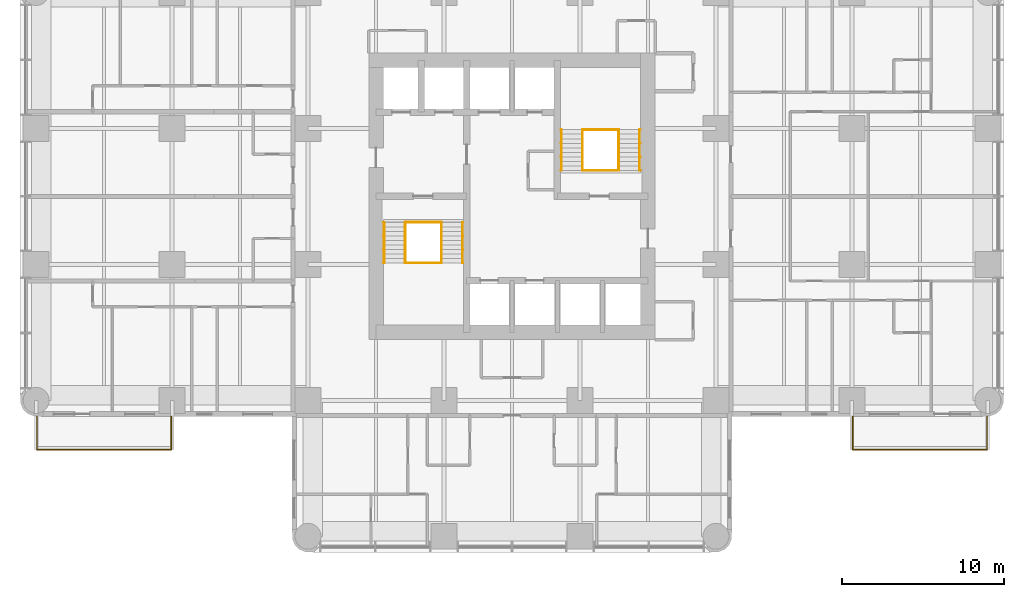
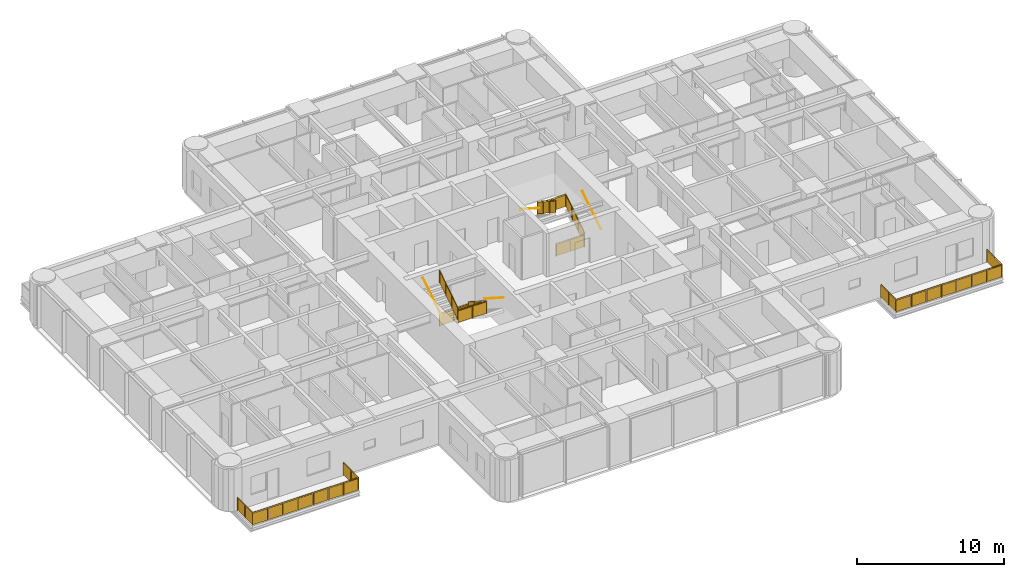
# One storey, part 13 of 14: 14 railings.
"""IFC4 building model written with IfcOpenShell, lengths in metres."""

from ifc_helpers import new_model, si_unit, direction, frame, origin, origin_2d, place, context, subcontext, project, spatial, polyline, circle, outline, extrude, material, constituent, constituent_set, type_object, element, save


model = new_model("IFC4")

# Units and contexts
model_context = context("Model", 3, precision=1e-05, world=origin(), true_north=direction((0.0, 1.0)))
body_context = subcontext(model_context, "Body", "Model", "MODEL_VIEW")
ifc_project = project(units=[si_unit("LENGTHUNIT", "METRE"), si_unit("AREAUNIT", "SQUARE_METRE"), si_unit("VOLUMEUNIT", "CUBIC_METRE"), si_unit("PLANEANGLEUNIT", "RADIAN"), si_unit("MASSUNIT", "GRAM", prefix="KILO")], contexts=[model_context])

# Site, building, storey
site_placement = place(None, origin())
site = spatial("IfcSite", under=ifc_project, at=site_placement, CompositionType="ELEMENT")
building_placement = place(site_placement, origin())
building = spatial("IfcBuilding", under=site, at=building_placement, Name="Torre Alcanfor", CompositionType="ELEMENT")
storey_placement = place(building_placement, frame((0.0, 0.0, 141.300048828125)))
storey = spatial("IfcBuildingStorey", under=building, at=storey_placement, Name="L36", CompositionType="ELEMENT", Elevation=141.300048828125)

# Railings
ifc_material_1 = material(Name="Laminated safety glass", Category="glass")
ifc_constituent_1 = constituent(ifc_material_1, Name="Infill")
ifc_material_2 = material(Name="Stainless steel ASTM A554 Grade MT 316L tube", Category="steel")
ifc_constituent_2 = constituent(ifc_material_2, Name="Posts and rail")
ifc_constituent_set = constituent_set(constituents=[ifc_constituent_1, ifc_constituent_2], Name="Balcony guard glass 1100")
railing_type_1 = type_object("IfcRailingType", Name="Balcony guard glass 1100", PredefinedType="BALUSTRADE", material=ifc_constituent_set)
railing_1_placement = place(storey_placement, frame((50.449951171875, 15.800048828125, 0.0)))
element("IfcRailing", 1, at=railing_1_placement, inside=storey, type_object=railing_type_1, Name="Balcony guard L36-E2", PredefinedType="BALUSTRADE", context=body_context, shape_type="SweptSolid", body=[
    extrude(circle(Radius=0.02392578125, at=origin_2d()), frame((0.0, 0.0, 1.076171875), z_axis=(0.0, -1.0, 0.0), x_axis=(1.0, 0.0, 0.0)), (0.0, 0.0, 1.0), 2.050048828125),
    extrude(circle(Radius=0.02392578125, at=origin_2d()), frame((0.0, -2.050048828125, 1.076171875), z_axis=(1.0, 0.0, 0.0), x_axis=(0.0, 1.0, 0.0)), (0.0, 0.0, 1.0), 8.300048828125),
    extrude(circle(Radius=0.02392578125, at=origin_2d()), frame((8.300048828125, -2.050048828125, 1.076171875), z_axis=(0.0, 1.0, 0.0), x_axis=(-1.0, 0.0, 0.0)), (0.0, 0.0, 1.0), 2.050048828125),
    extrude(circle(Radius=0.02099609375, at=origin_2d()), origin(), (0.0, 0.0, 1.0), 1.052001953125),
    extrude(circle(Radius=0.02099609375, at=origin_2d()), frame((0.0, -1.02490234375, 0.0)), (0.0, 0.0, 1.0), 1.052001953125),
    extrude(circle(Radius=0.02099609375, at=origin_2d()), frame((0.0, -2.050048828125, 0.0)), (0.0, 0.0, 1.0), 1.052001953125),
    extrude(circle(Radius=0.02099609375, at=origin_2d()), frame((1.185791015625, -2.050048828125, 0.0)), (0.0, 0.0, 1.0), 1.052001953125),
    extrude(circle(Radius=0.02099609375, at=origin_2d()), frame((2.371337890625, -2.050048828125, 0.0)), (0.0, 0.0, 1.0), 1.052001953125),
    extrude(circle(Radius=0.02099609375, at=origin_2d()), frame((3.55712890625, -2.050048828125, 0.0)), (0.0, 0.0, 1.0), 1.052001953125),
    extrude(circle(Radius=0.02099609375, at=origin_2d()), frame((4.742919921875, -2.050048828125, 0.0)), (0.0, 0.0, 1.0), 1.052001953125),
    extrude(circle(Radius=0.02099609375, at=origin_2d()), frame((5.9287109375, -2.050048828125, 0.0)), (0.0, 0.0, 1.0), 1.052001953125),
    extrude(circle(Radius=0.02099609375, at=origin_2d()), frame((7.1142578125, -2.050048828125, 0.0)), (0.0, 0.0, 1.0), 1.052001953125),
    extrude(circle(Radius=0.02099609375, at=origin_2d()), frame((8.300048828125, -2.050048828125, 0.0)), (0.0, 0.0, 1.0), 1.052001953125),
    extrude(circle(Radius=0.02099609375, at=origin_2d()), frame((8.300048828125, -1.02490234375, 0.0)), (0.0, 0.0, 1.0), 1.052001953125),
    extrude(circle(Radius=0.02099609375, at=origin_2d()), frame((8.300048828125, 0.0, 0.0)), (0.0, 0.0, 1.0), 1.052001953125),
    extrude(outline(polyline([(0.041015625, 0.050048828125), (0.984130859375, 0.050048828125), (0.984130859375, 1.001953125), (0.041015625, 1.001953125), (0.041015625, 0.050048828125)])), frame((0.005859375, 0.0, 0.0), z_axis=(-1.0, 0.0, 0.0), x_axis=(0.0, -1.0, 0.0)), (0.0, 0.0, 1.0), 0.011962890625),
    extrude(outline(polyline([(1.06591796875, 0.050048828125), (2.009033203125, 0.050048828125), (2.009033203125, 1.001953125), (1.06591796875, 1.001953125), (1.06591796875, 0.050048828125)])), frame((0.005859375, 0.0, 0.0), z_axis=(-1.0, 0.0, 0.0), x_axis=(0.0, -1.0, 0.0)), (0.0, 0.0, 1.0), 0.011962890625),
    extrude(outline(polyline([(0.041015625, 0.050048828125), (1.144775390625, 0.050048828125), (1.144775390625, 1.001953125), (0.041015625, 1.001953125), (0.041015625, 0.050048828125)])), frame((0.0, -2.0439453125, 0.0), z_axis=(0.0, -1.0, 0.0), x_axis=(1.0, 0.0, 0.0)), (0.0, 0.0, 1.0), 0.011962890625),
    extrude(outline(polyline([(1.226806640625, 0.050048828125), (2.330322265625, 0.050048828125), (2.330322265625, 1.001953125), (1.226806640625, 1.001953125), (1.226806640625, 0.050048828125)])), frame((0.0, -2.0439453125, 0.0), z_axis=(0.0, -1.0, 0.0), x_axis=(1.0, 0.0, 0.0)), (0.0, 0.0, 1.0), 0.011962890625),
    extrude(outline(polyline([(2.412353515625, 0.050048828125), (3.51611328125, 0.050048828125), (3.51611328125, 1.001953125), (2.412353515625, 1.001953125), (2.412353515625, 0.050048828125)])), frame((0.0, -2.0439453125, 0.0), z_axis=(0.0, -1.0, 0.0), x_axis=(1.0, 0.0, 0.0)), (0.0, 0.0, 1.0), 0.011962890625),
    extrude(outline(polyline([(3.59814453125, 0.050048828125), (4.701904296875, 0.050048828125), (4.701904296875, 1.001953125), (3.59814453125, 1.001953125), (3.59814453125, 0.050048828125)])), frame((0.0, -2.0439453125, 0.0), z_axis=(0.0, -1.0, 0.0), x_axis=(1.0, 0.0, 0.0)), (0.0, 0.0, 1.0), 0.011962890625),
    extrude(outline(polyline([(4.783935546875, 0.050048828125), (5.8876953125, 0.050048828125), (5.8876953125, 1.001953125), (4.783935546875, 1.001953125), (4.783935546875, 0.050048828125)])), frame((0.0, -2.0439453125, 0.0), z_axis=(0.0, -1.0, 0.0), x_axis=(1.0, 0.0, 0.0)), (0.0, 0.0, 1.0), 0.011962890625),
    extrude(outline(polyline([(5.9697265625, 0.050048828125), (7.0732421875, 0.050048828125), (7.0732421875, 1.001953125), (5.9697265625, 1.001953125), (5.9697265625, 0.050048828125)])), frame((0.0, -2.0439453125, 0.0), z_axis=(0.0, -1.0, 0.0), x_axis=(1.0, 0.0, 0.0)), (0.0, 0.0, 1.0), 0.011962890625),
    extrude(outline(polyline([(7.1552734375, 0.050048828125), (8.259033203125, 0.050048828125), (8.259033203125, 1.001953125), (7.1552734375, 1.001953125), (7.1552734375, 0.050048828125)])), frame((0.0, -2.0439453125, 0.0), z_axis=(0.0, -1.0, 0.0), x_axis=(1.0, 0.0, 0.0)), (0.0, 0.0, 1.0), 0.011962890625),
    extrude(outline(polyline([(0.041015625, 0.050048828125), (0.984130859375, 0.050048828125), (0.984130859375, 1.001953125), (0.041015625, 1.001953125), (0.041015625, 0.050048828125)])), frame((8.2939453125, -2.050048828125, 0.0), z_axis=(1.0, 0.0, 0.0), x_axis=(0.0, 1.0, 0.0)), (0.0, 0.0, 1.0), 0.011962890625),
    extrude(outline(polyline([(1.06591796875, 0.050048828125), (2.009033203125, 0.050048828125), (2.009033203125, 1.001953125), (1.06591796875, 1.001953125), (1.06591796875, 0.050048828125)])), frame((8.2939453125, -2.050048828125, 0.0), z_axis=(1.0, 0.0, 0.0), x_axis=(0.0, 1.0, 0.0)), (0.0, 0.0, 1.0), 0.011962890625),
])
railing_2_placement = place(storey_placement, frame((8.35009765625, 15.800048828125, 0.0)))
element("IfcRailing", 2, at=railing_2_placement, inside=storey, type_object=railing_type_1, Name="Balcony guard L36-W1", PredefinedType="BALUSTRADE", context=body_context, shape_type="SweptSolid", body=[
    extrude(circle(Radius=0.02392578125, at=origin_2d()), frame((0.0, 0.0, 1.076171875), z_axis=(0.0, -1.0, 0.0), x_axis=(1.0, 0.0, 0.0)), (0.0, 0.0, 1.0), 2.050048828125),
    extrude(circle(Radius=0.02392578125, at=origin_2d()), frame((0.0, -2.050048828125, 1.076171875), z_axis=(-1.0, 0.0, 0.0), x_axis=(0.0, -1.0, 0.0)), (0.0, 0.0, 1.0), 8.300048828125),
    extrude(circle(Radius=0.02392578125, at=origin_2d()), frame((-8.300048828125, -2.050048828125, 1.076171875), z_axis=(0.0, 1.0, 0.0), x_axis=(-1.0, 0.0, 0.0)), (0.0, 0.0, 1.0), 2.050048828125),
    extrude(circle(Radius=0.02099609375, at=origin_2d()), origin(), (0.0, 0.0, 1.0), 1.052001953125),
    extrude(circle(Radius=0.02099609375, at=origin_2d()), frame((0.0, -1.02490234375, 0.0)), (0.0, 0.0, 1.0), 1.052001953125),
    extrude(circle(Radius=0.02099609375, at=origin_2d()), frame((0.0, -2.050048828125, 0.0)), (0.0, 0.0, 1.0), 1.052001953125),
    extrude(circle(Radius=0.02099609375, at=origin_2d()), frame((-1.185791015625, -2.050048828125, 0.0)), (0.0, 0.0, 1.0), 1.052001953125),
    extrude(circle(Radius=0.02099609375, at=origin_2d()), frame((-2.371337890625, -2.050048828125, 0.0)), (0.0, 0.0, 1.0), 1.052001953125),
    extrude(circle(Radius=0.02099609375, at=origin_2d()), frame((-3.55712890625, -2.050048828125, 0.0)), (0.0, 0.0, 1.0), 1.052001953125),
    extrude(circle(Radius=0.02099609375, at=origin_2d()), frame((-4.742919921875, -2.050048828125, 0.0)), (0.0, 0.0, 1.0), 1.052001953125),
    extrude(circle(Radius=0.02099609375, at=origin_2d()), frame((-5.9287109375, -2.050048828125, 0.0)), (0.0, 0.0, 1.0), 1.052001953125),
    extrude(circle(Radius=0.02099609375, at=origin_2d()), frame((-7.1142578125, -2.050048828125, 0.0)), (0.0, 0.0, 1.0), 1.052001953125),
    extrude(circle(Radius=0.02099609375, at=origin_2d()), frame((-8.300048828125, -2.050048828125, 0.0)), (0.0, 0.0, 1.0), 1.052001953125),
    extrude(circle(Radius=0.02099609375, at=origin_2d()), frame((-8.300048828125, -1.02490234375, 0.0)), (0.0, 0.0, 1.0), 1.052001953125),
    extrude(circle(Radius=0.02099609375, at=origin_2d()), frame((-8.300048828125, 0.0, 0.0)), (0.0, 0.0, 1.0), 1.052001953125),
    extrude(outline(polyline([(0.041015625, 0.050048828125), (0.984130859375, 0.050048828125), (0.984130859375, 1.001953125), (0.041015625, 1.001953125), (0.041015625, 0.050048828125)])), frame((0.005859375, 0.0, 0.0), z_axis=(-1.0, 0.0, 0.0), x_axis=(0.0, -1.0, 0.0)), (0.0, 0.0, 1.0), 0.011962890625),
    extrude(outline(polyline([(1.06591796875, 0.050048828125), (2.009033203125, 0.050048828125), (2.009033203125, 1.001953125), (1.06591796875, 1.001953125), (1.06591796875, 0.050048828125)])), frame((0.005859375, 0.0, 0.0), z_axis=(-1.0, 0.0, 0.0), x_axis=(0.0, -1.0, 0.0)), (0.0, 0.0, 1.0), 0.011962890625),
    extrude(outline(polyline([(0.041015625, 0.050048828125), (1.144775390625, 0.050048828125), (1.144775390625, 1.001953125), (0.041015625, 1.001953125), (0.041015625, 0.050048828125)])), frame((0.0, -2.05615234375, 0.0), z_axis=(0.0, 1.0, 0.0), x_axis=(-1.0, 0.0, 0.0)), (0.0, 0.0, 1.0), 0.011962890625),
    extrude(outline(polyline([(1.226806640625, 0.050048828125), (2.330322265625, 0.050048828125), (2.330322265625, 1.001953125), (1.226806640625, 1.001953125), (1.226806640625, 0.050048828125)])), frame((0.0, -2.05615234375, 0.0), z_axis=(0.0, 1.0, 0.0), x_axis=(-1.0, 0.0, 0.0)), (0.0, 0.0, 1.0), 0.011962890625),
    extrude(outline(polyline([(2.412353515625, 0.050048828125), (3.51611328125, 0.050048828125), (3.51611328125, 1.001953125), (2.412353515625, 1.001953125), (2.412353515625, 0.050048828125)])), frame((0.0, -2.05615234375, 0.0), z_axis=(0.0, 1.0, 0.0), x_axis=(-1.0, 0.0, 0.0)), (0.0, 0.0, 1.0), 0.011962890625),
    extrude(outline(polyline([(3.59814453125, 0.050048828125), (4.701904296875, 0.050048828125), (4.701904296875, 1.001953125), (3.59814453125, 1.001953125), (3.59814453125, 0.050048828125)])), frame((0.0, -2.05615234375, 0.0), z_axis=(0.0, 1.0, 0.0), x_axis=(-1.0, 0.0, 0.0)), (0.0, 0.0, 1.0), 0.011962890625),
    extrude(outline(polyline([(4.783935546875, 0.050048828125), (5.8876953125, 0.050048828125), (5.8876953125, 1.001953125), (4.783935546875, 1.001953125), (4.783935546875, 0.050048828125)])), frame((0.0, -2.05615234375, 0.0), z_axis=(0.0, 1.0, 0.0), x_axis=(-1.0, 0.0, 0.0)), (0.0, 0.0, 1.0), 0.011962890625),
    extrude(outline(polyline([(5.9697265625, 0.050048828125), (7.0732421875, 0.050048828125), (7.0732421875, 1.001953125), (5.9697265625, 1.001953125), (5.9697265625, 0.050048828125)])), frame((0.0, -2.05615234375, 0.0), z_axis=(0.0, 1.0, 0.0), x_axis=(-1.0, 0.0, 0.0)), (0.0, 0.0, 1.0), 0.011962890625),
    extrude(outline(polyline([(7.1552734375, 0.050048828125), (8.259033203125, 0.050048828125), (8.259033203125, 1.001953125), (7.1552734375, 1.001953125), (7.1552734375, 0.050048828125)])), frame((0.0, -2.05615234375, 0.0), z_axis=(0.0, 1.0, 0.0), x_axis=(-1.0, 0.0, 0.0)), (0.0, 0.0, 1.0), 0.011962890625),
    extrude(outline(polyline([(0.041015625, 0.050048828125), (0.984130859375, 0.050048828125), (0.984130859375, 1.001953125), (0.041015625, 1.001953125), (0.041015625, 0.050048828125)])), frame((-8.30615234375, -2.050048828125, 0.0), z_axis=(1.0, 0.0, 0.0), x_axis=(0.0, 1.0, 0.0)), (0.0, 0.0, 1.0), 0.011962890625),
    extrude(outline(polyline([(1.06591796875, 0.050048828125), (2.009033203125, 0.050048828125), (2.009033203125, 1.001953125), (1.06591796875, 1.001953125), (1.06591796875, 0.050048828125)])), frame((-8.30615234375, -2.050048828125, 0.0), z_axis=(1.0, 0.0, 0.0), x_axis=(0.0, 1.0, 0.0)), (0.0, 0.0, 1.0), 0.011962890625),
])
ifc_material_3 = material(Name="Steel ASTM A500 Grade C hollow sections", Category="steel")
railing_type_2 = type_object("IfcRailingType", Name="Stair guard and handrail 1100", PredefinedType="GUARDRAIL", material=ifc_material_3)
railing_3_placement = place(storey_placement, frame((25.050048828125, 27.800048828125, 0.179931640625)))
element("IfcRailing", 3, at=railing_3_placement, inside=storey, type_object=railing_type_2, Name="Stair guard S1 L36 flight 1", PredefinedType="GUARDRAIL", context=body_context, shape_type="SweptSolid", body=[
    extrude(circle(Radius=0.02392578125, at=origin_2d()), frame((0.0, 0.0, 1.076171875), z_axis=(0.0, -0.841162588446, 0.540782303519), x_axis=(1.0, 0.0, 0.0)), (0.0, 0.0, 1.0), 2.995849609375),
    extrude(circle(Radius=0.02099609375, at=origin_2d()), origin(), (0.0, 0.0, 1.0), 1.052001953125),
    extrude(circle(Radius=0.02099609375, at=origin_2d()), frame((0.0, -0.840087890625, 0.5400390625)), (0.0, 0.0, 1.0), 1.052001953125),
    extrude(circle(Radius=0.02099609375, at=origin_2d()), frame((0.0, -1.679931640625, 1.080078125)), (0.0, 0.0, 1.0), 1.052001953125),
    extrude(circle(Radius=0.02099609375, at=origin_2d()), frame((0.0, -2.52001953125, 1.6201171875)), (0.0, 0.0, 1.0), 1.052001953125),
    extrude(outline(polyline([(0.041015625, 0.076416015625), (0.799072265625, 0.563720703125), (0.799072265625, 1.515625), (0.041015625, 1.0283203125), (0.041015625, 0.076416015625)])), frame((0.005859375, 0.0, 0.0), z_axis=(-1.0, 0.0, 0.0), x_axis=(0.0, -1.0, 0.0)), (0.0, 0.0, 1.0), 0.011962890625),
    extrude(outline(polyline([(0.881103515625, 0.616455078125), (1.638916015625, 1.103759765625), (1.638916015625, 2.0556640625), (0.881103515625, 1.568359375), (0.881103515625, 0.616455078125)])), frame((0.005859375, 0.0, 0.0), z_axis=(-1.0, 0.0, 0.0), x_axis=(0.0, -1.0, 0.0)), (0.0, 0.0, 1.0), 0.011962890625),
    extrude(outline(polyline([(1.720947265625, 1.156494140625), (2.47900390625, 1.643798828125), (2.47900390625, 2.595703125), (1.720947265625, 2.1083984375), (1.720947265625, 1.156494140625)])), frame((0.005859375, 0.0, 0.0), z_axis=(-1.0, 0.0, 0.0), x_axis=(0.0, -1.0, 0.0)), (0.0, 0.0, 1.0), 0.011962890625),
])
railing_4_placement = place(storey_placement, frame((22.800048828125, 25.280029296875, 1.97998046875)))
element("IfcRailing", 4, at=railing_4_placement, inside=storey, type_object=railing_type_2, Name="Stair guard S1 L36 flight 2", PredefinedType="GUARDRAIL", context=body_context, shape_type="SweptSolid", body=[
    extrude(circle(Radius=0.02392578125, at=origin_2d()), frame((0.0, 0.0, 1.076171875), z_axis=(0.0, 0.841199657755, 0.540724639528), x_axis=(-1.0, 0.0, 0.0)), (0.0, 0.0, 1.0), 2.995849609375),
    extrude(circle(Radius=0.02099609375, at=origin_2d()), origin(), (0.0, 0.0, 1.0), 1.052001953125),
    extrude(circle(Radius=0.02099609375, at=origin_2d()), frame((0.0, 0.840087890625, 0.5400390625)), (0.0, 0.0, 1.0), 1.052001953125),
    extrude(circle(Radius=0.02099609375, at=origin_2d()), frame((0.0, 1.679931640625, 1.079833984375)), (0.0, 0.0, 1.0), 1.052001953125),
    extrude(circle(Radius=0.02099609375, at=origin_2d()), frame((0.0, 2.52001953125, 1.619873046875)), (0.0, 0.0, 1.0), 1.052001953125),
    extrude(outline(polyline([(0.041015625, 0.076416015625), (0.799072265625, 0.563720703125), (0.799072265625, 1.515625), (0.041015625, 1.0283203125), (0.041015625, 0.076416015625)])), frame((-0.005859375, 0.0, 0.0), z_axis=(1.0, 0.0, 0.0), x_axis=(0.0, 1.0, 0.0)), (0.0, 0.0, 1.0), 0.011962890625),
    extrude(outline(polyline([(0.881103515625, 0.6162109375), (1.638916015625, 1.103515625), (1.638916015625, 2.0556640625), (0.881103515625, 1.568359375), (0.881103515625, 0.6162109375)])), frame((-0.005859375, 0.0, 0.0), z_axis=(1.0, 0.0, 0.0), x_axis=(0.0, 1.0, 0.0)), (0.0, 0.0, 1.0), 0.011962890625),
    extrude(outline(polyline([(1.720947265625, 1.15625), (2.47900390625, 1.6435546875), (2.47900390625, 2.595458984375), (1.720947265625, 2.108154296875), (1.720947265625, 1.15625)])), frame((-0.005859375, 0.0, 0.0), z_axis=(1.0, 0.0, 0.0), x_axis=(0.0, 1.0, 0.0)), (0.0, 0.0, 1.0), 0.011962890625),
])
for number, where, name in (
    (5, (22.800048828125, 27.800048828125, 0.0), "Stair well guard S1 L36 floor landing"),
    (6, (22.800048828125, 25.280029296875, 1.800048828125), "Stair well guard S1 L36 half landing"),
):
    element("IfcRailing", number, at=place(storey_placement, frame(where)), inside=storey, type_object=railing_type_2, Name=name, PredefinedType="GUARDRAIL", context=body_context, shape_type="SweptSolid", body=[
        extrude(circle(Radius=0.02392578125, at=origin_2d()), frame((0.0, 0.0, 1.076171875), z_axis=(1.0, 0.0, 0.0), x_axis=(0.0, 1.0, 0.0)), (0.0, 0.0, 1.0), 2.25),
        extrude(circle(Radius=0.02099609375, at=origin_2d()), origin(), (0.0, 0.0, 1.0), 1.052001953125),
        extrude(circle(Radius=0.02099609375, at=origin_2d()), frame((1.125, 0.0, 0.0)), (0.0, 0.0, 1.0), 1.052001953125),
        extrude(circle(Radius=0.02099609375, at=origin_2d()), frame((2.25, 0.0, 0.0)), (0.0, 0.0, 1.0), 1.052001953125),
        extrude(outline(polyline([(0.041015625, 0.050048828125), (1.083984375, 0.050048828125), (1.083984375, 1.001953125), (0.041015625, 1.001953125), (0.041015625, 0.050048828125)])), frame((0.0, 0.005859375, 0.0), z_axis=(0.0, -1.0, 0.0), x_axis=(1.0, 0.0, 0.0)), (0.0, 0.0, 1.0), 0.011962890625),
        extrude(outline(polyline([(1.166015625, 0.050048828125), (2.208984375, 0.050048828125), (2.208984375, 1.001953125), (1.166015625, 1.001953125), (1.166015625, 0.050048828125)])), frame((0.0, 0.005859375, 0.0), z_axis=(0.0, -1.0, 0.0), x_axis=(1.0, 0.0, 0.0)), (0.0, 0.0, 1.0), 0.011962890625),
    ])
railing_5_placement = place(storey_placement, frame((36.0, 31.0, 0.179931640625)))
element("IfcRailing", 7, at=railing_5_placement, inside=storey, type_object=railing_type_2, Name="Stair guard S2 L36 flight 1", PredefinedType="GUARDRAIL", context=body_context, shape_type="SweptSolid", body=[
    extrude(circle(Radius=0.02392578125, at=origin_2d()), frame((0.0, 0.0, 1.076171875), z_axis=(0.0, 0.841162588446, 0.540782303519), x_axis=(-1.0, 0.0, 0.0)), (0.0, 0.0, 1.0), 2.995849609375),
    extrude(circle(Radius=0.02099609375, at=origin_2d()), origin(), (0.0, 0.0, 1.0), 1.052001953125),
    extrude(circle(Radius=0.02099609375, at=origin_2d()), frame((0.0, 0.840087890625, 0.5400390625)), (0.0, 0.0, 1.0), 1.052001953125),
    extrude(circle(Radius=0.02099609375, at=origin_2d()), frame((0.0, 1.679931640625, 1.080078125)), (0.0, 0.0, 1.0), 1.052001953125),
    extrude(circle(Radius=0.02099609375, at=origin_2d()), frame((0.0, 2.52001953125, 1.6201171875)), (0.0, 0.0, 1.0), 1.052001953125),
    extrude(outline(polyline([(0.041015625, 0.076416015625), (0.799072265625, 0.563720703125), (0.799072265625, 1.515625), (0.041015625, 1.0283203125), (0.041015625, 0.076416015625)])), frame((-0.005859375, 0.0, 0.0), z_axis=(1.0, 0.0, 0.0), x_axis=(0.0, 1.0, 0.0)), (0.0, 0.0, 1.0), 0.011962890625),
    extrude(outline(polyline([(0.881103515625, 0.616455078125), (1.638916015625, 1.103759765625), (1.638916015625, 2.0556640625), (0.881103515625, 1.568359375), (0.881103515625, 0.616455078125)])), frame((-0.005859375, 0.0, 0.0), z_axis=(1.0, 0.0, 0.0), x_axis=(0.0, 1.0, 0.0)), (0.0, 0.0, 1.0), 0.011962890625),
    extrude(outline(polyline([(1.720947265625, 1.156494140625), (2.47900390625, 1.643798828125), (2.47900390625, 2.595703125), (1.720947265625, 2.1083984375), (1.720947265625, 1.156494140625)])), frame((-0.005859375, 0.0, 0.0), z_axis=(1.0, 0.0, 0.0), x_axis=(0.0, 1.0, 0.0)), (0.0, 0.0, 1.0), 0.011962890625),
])
railing_6_placement = place(storey_placement, frame((33.75, 33.52001953125, 1.97998046875)))
element("IfcRailing", 8, at=railing_6_placement, inside=storey, type_object=railing_type_2, Name="Stair guard S2 L36 flight 2", PredefinedType="GUARDRAIL", context=body_context, shape_type="SweptSolid", body=[
    extrude(circle(Radius=0.02392578125, at=origin_2d()), frame((0.0, 0.0, 1.076171875), z_axis=(0.0, -0.841199657755, 0.540724639528), x_axis=(1.0, 0.0, 0.0)), (0.0, 0.0, 1.0), 2.995849609375),
    extrude(circle(Radius=0.02099609375, at=origin_2d()), origin(), (0.0, 0.0, 1.0), 1.052001953125),
    extrude(circle(Radius=0.02099609375, at=origin_2d()), frame((0.0, -0.840087890625, 0.5400390625)), (0.0, 0.0, 1.0), 1.052001953125),
    extrude(circle(Radius=0.02099609375, at=origin_2d()), frame((0.0, -1.679931640625, 1.079833984375)), (0.0, 0.0, 1.0), 1.052001953125),
    extrude(circle(Radius=0.02099609375, at=origin_2d()), frame((0.0, -2.52001953125, 1.619873046875)), (0.0, 0.0, 1.0), 1.052001953125),
    extrude(outline(polyline([(0.041015625, 0.076416015625), (0.799072265625, 0.563720703125), (0.799072265625, 1.515625), (0.041015625, 1.0283203125), (0.041015625, 0.076416015625)])), frame((0.005859375, 0.0, 0.0), z_axis=(-1.0, 0.0, 0.0), x_axis=(0.0, -1.0, 0.0)), (0.0, 0.0, 1.0), 0.011962890625),
    extrude(outline(polyline([(0.881103515625, 0.6162109375), (1.638916015625, 1.103515625), (1.638916015625, 2.0556640625), (0.881103515625, 1.568359375), (0.881103515625, 0.6162109375)])), frame((0.005859375, 0.0, 0.0), z_axis=(-1.0, 0.0, 0.0), x_axis=(0.0, -1.0, 0.0)), (0.0, 0.0, 1.0), 0.011962890625),
    extrude(outline(polyline([(1.720947265625, 1.15625), (2.47900390625, 1.6435546875), (2.47900390625, 2.595458984375), (1.720947265625, 2.108154296875), (1.720947265625, 1.15625)])), frame((0.005859375, 0.0, 0.0), z_axis=(-1.0, 0.0, 0.0), x_axis=(0.0, -1.0, 0.0)), (0.0, 0.0, 1.0), 0.011962890625),
])
for number, where, name in (
    (9, (33.75, 31.0, 0.0), "Stair well guard S2 L36 floor landing"),
    (10, (33.75, 33.52001953125, 1.800048828125), "Stair well guard S2 L36 half landing"),
):
    element("IfcRailing", number, at=place(storey_placement, frame(where)), inside=storey, type_object=railing_type_2, Name=name, PredefinedType="GUARDRAIL", context=body_context, shape_type="SweptSolid", body=[
        extrude(circle(Radius=0.02392578125, at=origin_2d()), frame((0.0, 0.0, 1.076171875), z_axis=(1.0, 0.0, 0.0), x_axis=(0.0, 1.0, 0.0)), (0.0, 0.0, 1.0), 2.25),
        extrude(circle(Radius=0.02099609375, at=origin_2d()), origin(), (0.0, 0.0, 1.0), 1.052001953125),
        extrude(circle(Radius=0.02099609375, at=origin_2d()), frame((1.125, 0.0, 0.0)), (0.0, 0.0, 1.0), 1.052001953125),
        extrude(circle(Radius=0.02099609375, at=origin_2d()), frame((2.25, 0.0, 0.0)), (0.0, 0.0, 1.0), 1.052001953125),
        extrude(outline(polyline([(0.041015625, 0.050048828125), (1.083984375, 0.050048828125), (1.083984375, 1.001953125), (0.041015625, 1.001953125), (0.041015625, 0.050048828125)])), frame((0.0, 0.005859375, 0.0), z_axis=(0.0, -1.0, 0.0), x_axis=(1.0, 0.0, 0.0)), (0.0, 0.0, 1.0), 0.011962890625),
        extrude(outline(polyline([(1.166015625, 0.050048828125), (2.208984375, 0.050048828125), (2.208984375, 1.001953125), (1.166015625, 1.001953125), (1.166015625, 0.050048828125)])), frame((0.0, 0.005859375, 0.0), z_axis=(0.0, -1.0, 0.0), x_axis=(1.0, 0.0, 0.0)), (0.0, 0.0, 1.0), 0.011962890625),
    ])
ifc_material_4 = material(Name="Steel ASTM A500 Grade C hollow sections", Category="steel")
railing_type_3 = type_object("IfcRailingType", Name="Stair wall handrail 900", PredefinedType="HANDRAIL", material=ifc_material_4)
railing_7_placement = place(storey_placement, frame((26.3349609375, 27.800048828125, 0.179931640625)))
element("IfcRailing", 11, at=railing_7_placement, inside=storey, type_object=railing_type_3, Name="Stair handrail S1 L36 flight 1", PredefinedType="HANDRAIL", context=body_context, shape_type="SweptSolid", body=[
    extrude(circle(Radius=0.02392578125, at=origin_2d()), frame((0.0, 0.0, 0.8759765625), z_axis=(0.0, -0.841162588446, 0.540782303519), x_axis=(1.0, 0.0, 0.0)), (0.0, 0.0, 1.0), 2.995849609375),
    extrude(circle(Radius=0.008056640625, at=origin_2d()), frame((0.0, 0.0, 0.8759765625), z_axis=(1.0, 0.0, 0.0), x_axis=(0.0, 0.0, 1.0)), (0.0, 0.0, 1.0), 0.06494140625),
    extrude(circle(Radius=0.008056640625, at=origin_2d()), frame((0.0, -0.840087890625, 1.416015625), z_axis=(1.0, 0.0, 0.0), x_axis=(0.0, 0.0, 1.0)), (0.0, 0.0, 1.0), 0.06494140625),
    extrude(circle(Radius=0.008056640625, at=origin_2d()), frame((0.0, -1.679931640625, 1.9560546875), z_axis=(1.0, 0.0, 0.0), x_axis=(0.0, 0.0, 1.0)), (0.0, 0.0, 1.0), 0.06494140625),
    extrude(circle(Radius=0.008056640625, at=origin_2d()), frame((0.0, -2.52001953125, 2.49609375), z_axis=(1.0, 0.0, 0.0), x_axis=(0.0, 0.0, 1.0)), (0.0, 0.0, 1.0), 0.06494140625),
])
railing_8_placement = place(storey_placement, frame((21.514892578125, 25.280029296875, 1.97998046875)))
element("IfcRailing", 12, at=railing_8_placement, inside=storey, type_object=railing_type_3, Name="Stair handrail S1 L36 flight 2", PredefinedType="HANDRAIL", context=body_context, shape_type="SweptSolid", body=[
    extrude(circle(Radius=0.02392578125, at=origin_2d()), frame((0.0, 0.0, 0.8759765625), z_axis=(0.0, 0.841199657755, 0.540724639528), x_axis=(-1.0, 0.0, 0.0)), (0.0, 0.0, 1.0), 2.995849609375),
    extrude(circle(Radius=0.008056640625, at=origin_2d()), frame((0.0, 0.0, 0.8759765625), z_axis=(-1.0, 0.0, 0.0), x_axis=(0.0, 0.0, 1.0)), (0.0, 0.0, 1.0), 0.06494140625),
    extrude(circle(Radius=0.008056640625, at=origin_2d()), frame((0.0, 0.840087890625, 1.415771484375), z_axis=(-1.0, 0.0, 0.0), x_axis=(0.0, 0.0, 1.0)), (0.0, 0.0, 1.0), 0.06494140625),
    extrude(circle(Radius=0.008056640625, at=origin_2d()), frame((0.0, 1.679931640625, 1.955810546875), z_axis=(-1.0, 0.0, 0.0), x_axis=(0.0, 0.0, 1.0)), (0.0, 0.0, 1.0), 0.06494140625),
    extrude(circle(Radius=0.008056640625, at=origin_2d()), frame((0.0, 2.52001953125, 2.49560546875), z_axis=(-1.0, 0.0, 0.0), x_axis=(0.0, 0.0, 1.0)), (0.0, 0.0, 1.0), 0.06494140625),
])
railing_9_placement = place(storey_placement, frame((37.284912109375, 31.0, 0.179931640625)))
element("IfcRailing", 13, at=railing_9_placement, inside=storey, type_object=railing_type_3, Name="Stair handrail S2 L36 flight 1", PredefinedType="HANDRAIL", context=body_context, shape_type="SweptSolid", body=[
    extrude(circle(Radius=0.02392578125, at=origin_2d()), frame((0.0, 0.0, 0.8759765625), z_axis=(0.0, 0.841162588446, 0.540782303519), x_axis=(-1.0, 0.0, 0.0)), (0.0, 0.0, 1.0), 2.995849609375),
    extrude(circle(Radius=0.008056640625, at=origin_2d()), frame((0.0, 0.0, 0.8759765625), z_axis=(1.0, 0.0, 0.0), x_axis=(0.0, 0.0, 1.0)), (0.0, 0.0, 1.0), 0.06494140625),
    extrude(circle(Radius=0.008056640625, at=origin_2d()), frame((0.0, 0.840087890625, 1.416015625), z_axis=(1.0, 0.0, 0.0), x_axis=(0.0, 0.0, 1.0)), (0.0, 0.0, 1.0), 0.06494140625),
    extrude(circle(Radius=0.008056640625, at=origin_2d()), frame((0.0, 1.679931640625, 1.9560546875), z_axis=(1.0, 0.0, 0.0), x_axis=(0.0, 0.0, 1.0)), (0.0, 0.0, 1.0), 0.06494140625),
    extrude(circle(Radius=0.008056640625, at=origin_2d()), frame((0.0, 2.52001953125, 2.49609375), z_axis=(1.0, 0.0, 0.0), x_axis=(0.0, 0.0, 1.0)), (0.0, 0.0, 1.0), 0.06494140625),
])
railing_10_placement = place(storey_placement, frame((32.465087890625, 33.52001953125, 1.97998046875)))
element("IfcRailing", 14, at=railing_10_placement, inside=storey, type_object=railing_type_3, Name="Stair handrail S2 L36 flight 2", PredefinedType="HANDRAIL", context=body_context, shape_type="SweptSolid", body=[
    extrude(circle(Radius=0.02392578125, at=origin_2d()), frame((0.0, 0.0, 0.8759765625), z_axis=(0.0, -0.841199657755, 0.540724639528), x_axis=(1.0, 0.0, 0.0)), (0.0, 0.0, 1.0), 2.995849609375),
    extrude(circle(Radius=0.008056640625, at=origin_2d()), frame((0.0, 0.0, 0.8759765625), z_axis=(-1.0, 0.0, 0.0), x_axis=(0.0, 0.0, 1.0)), (0.0, 0.0, 1.0), 0.06494140625),
    extrude(circle(Radius=0.008056640625, at=origin_2d()), frame((0.0, -0.840087890625, 1.415771484375), z_axis=(-1.0, 0.0, 0.0), x_axis=(0.0, 0.0, 1.0)), (0.0, 0.0, 1.0), 0.06494140625),
    extrude(circle(Radius=0.008056640625, at=origin_2d()), frame((0.0, -1.679931640625, 1.955810546875), z_axis=(-1.0, 0.0, 0.0), x_axis=(0.0, 0.0, 1.0)), (0.0, 0.0, 1.0), 0.06494140625),
    extrude(circle(Radius=0.008056640625, at=origin_2d()), frame((0.0, -2.52001953125, 2.49560546875), z_axis=(-1.0, 0.0, 0.0), x_axis=(0.0, 0.0, 1.0)), (0.0, 0.0, 1.0), 0.06494140625),
])

save(model, "model.ifc")
